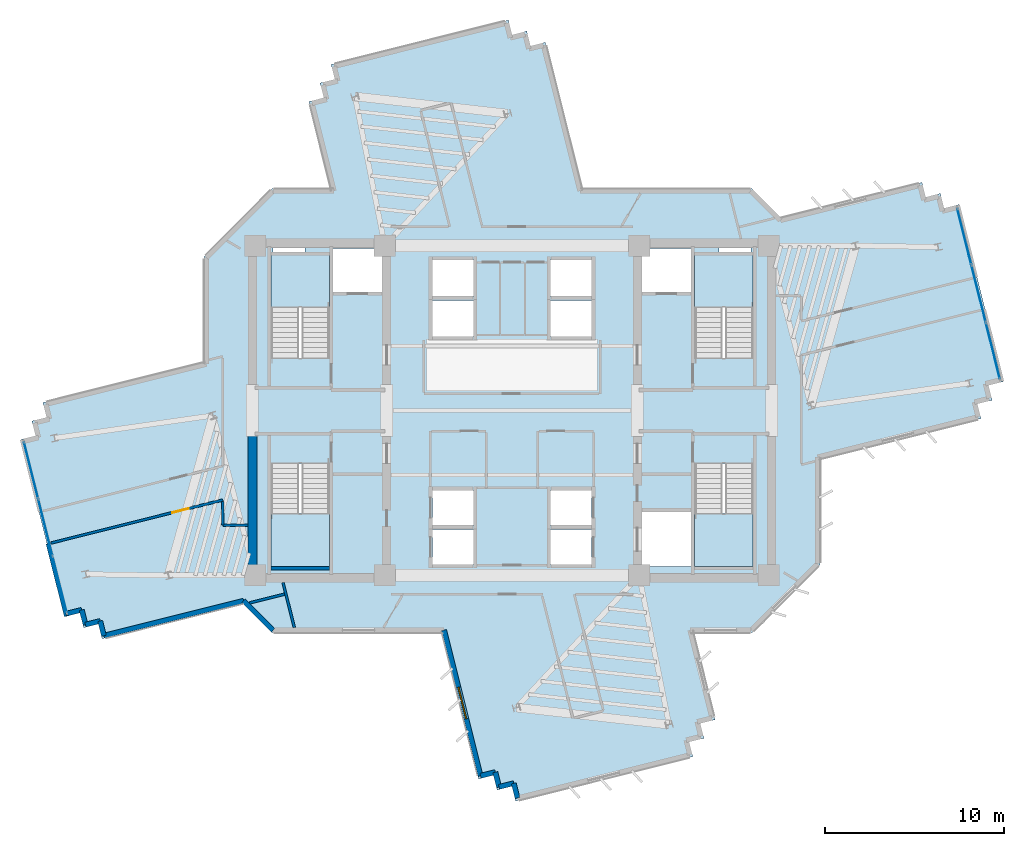
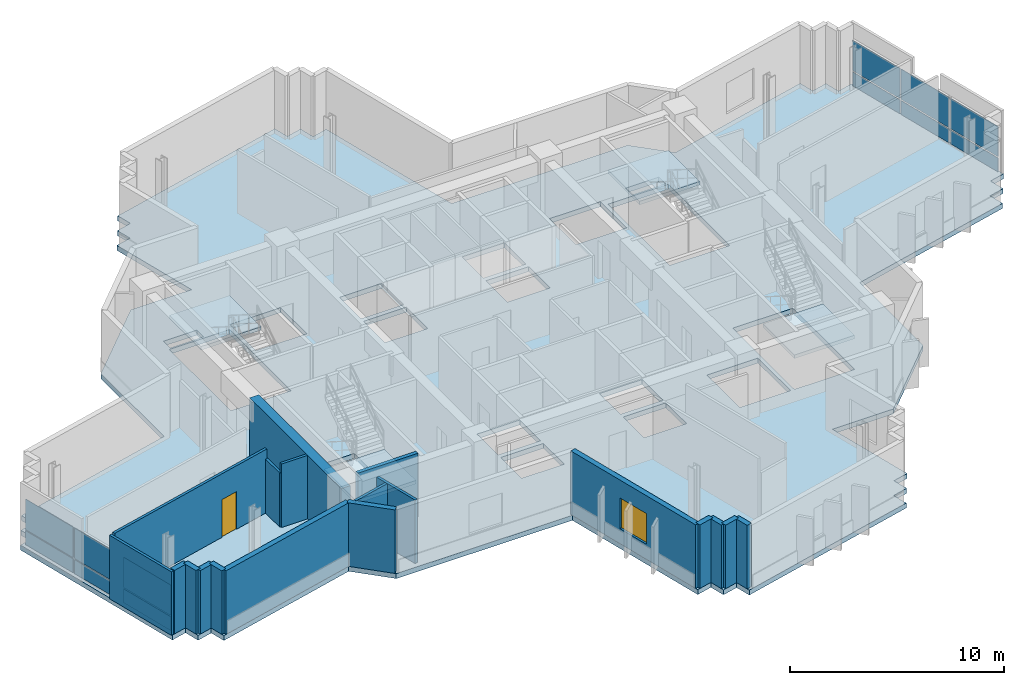
# One storey, part 5 of 13: 19 walls, 12 plates, 5 slabs, 1 door, 1 window, 2 openings, 6 elements without a shape of their own.
"""IFC4 building model written with IfcOpenShell, lengths in metres."""

from ifc_helpers import new_model, si_unit, direction, frame, frame_2d, origin, origin_2d, place, context, subcontext, project, spatial, polyline, rectangle, outline, extrude, source, transform, mapped, material, layer, layer_set, type_object, element, fill, aggregate, save


model = new_model("IFC4")

# Units and contexts
model_context = context("Model", 3, precision=1e-05, world=origin(), true_north=direction((0.0, 1.0)))
body_context = subcontext(model_context, "Body", "Model", "MODEL_VIEW")
ifc_project = project(units=[si_unit("LENGTHUNIT", "METRE"), si_unit("AREAUNIT", "SQUARE_METRE"), si_unit("VOLUMEUNIT", "CUBIC_METRE"), si_unit("PLANEANGLEUNIT", "RADIAN"), si_unit("MASSUNIT", "GRAM", prefix="KILO")], contexts=[model_context])

# Site, building, storey
site_placement = place(None, origin())
site = spatial("IfcSite", under=ifc_project, at=site_placement, CompositionType="ELEMENT")
building_placement = place(site_placement, origin())
building = spatial("IfcBuilding", under=site, at=building_placement, Name="Zahravan Cultural Tower", CompositionType="ELEMENT")
storey_placement = place(building_placement, frame((0.0, 0.0, 186.300048828125)))
storey = spatial("IfcBuildingStorey", under=building, at=storey_placement, Name="L43", CompositionType="ELEMENT", Elevation=186.300048828125)

# Slab
ifc_material_1 = material(Name="Concrete C45/55", Category="concrete")
ifc_layer_1 = layer(ifc_material_1, 0.280029296875)
ifc_layer_set_1 = layer_set([ifc_layer_1], Name="Concrete C45/55")
slab_type_1 = type_object("IfcSlabType", Name="SL-LIB-280", PredefinedType="FLOOR", material=ifc_layer_set_1)
slab_1_placement = place(storey_placement, frame((0.0, 0.0, -0.280029296875)))
element("IfcSlab", 1, at=slab_1_placement, inside=storey, type_object=slab_type_1, Name="L43 Structural Floor Slab", PredefinedType="FLOOR", context=body_context, shape_type="SweptSolid", body=[
    extrude(outline(polyline([(51.026611328125, 37.773193359375), (49.39990234375, 39.39990234375), (39.904541015625, 39.39990234375), (37.85888671875, 47.56787109375), (37.034423828125, 47.361328125), (36.827880859375, 48.185791015625), (36.00341796875, 47.979248046875), (35.796875, 48.803955078125), (25.902587890625, 46.325927734375), (26.10888671875, 45.50146484375), (25.284423828125, 45.294921875), (25.490966796875, 44.47021484375), (24.66650390625, 44.263916015625), (25.884521484375, 39.39990234375), (22.60009765625, 39.39990234375), (18.800048828125, 35.60009765625), (18.800048828125, 29.702392578125), (9.805908203125, 27.449951171875), (10.012451171875, 26.62548828125), (9.18798828125, 26.4189453125), (9.394287109375, 25.594482421875), (8.56982421875, 25.387939453125), (11.0478515625, 15.493408203125), (11.872314453125, 15.699951171875), (12.078857421875, 14.87548828125), (12.9033203125, 15.081787109375), (13.10986328125, 14.25732421875), (20.973388671875, 16.226806640625), (22.60009765625, 14.60009765625), (32.095458984375, 14.60009765625), (34.14111328125, 6.43212890625), (34.965576171875, 6.638671875), (35.172119140625, 5.814208984375), (35.99658203125, 6.020751953125), (36.203125, 5.196044921875), (46.097412109375, 7.674072265625), (45.89111328125, 8.49853515625), (46.715576171875, 8.705078125), (46.509033203125, 9.52978515625), (47.33349609375, 9.736083984375), (46.115478515625, 14.60009765625), (49.39990234375, 14.60009765625), (53.199951171875, 18.39990234375), (53.199951171875, 24.297607421875), (62.194091796875, 26.550048828125), (61.987548828125, 27.37451171875), (62.81201171875, 27.5810546875), (62.605712890625, 28.405517578125), (63.43017578125, 28.612060546875), (60.9521484375, 38.506591796875), (60.127685546875, 38.300048828125), (59.921142578125, 39.12451171875), (59.0966796875, 38.918212890625), (58.89013671875, 39.74267578125), (51.026611328125, 37.773193359375)]), holes=[polyline([(22.550048828125, 29.949951171875), (22.550048828125, 35.699951171875), (25.800048828125, 35.699951171875), (25.800048828125, 29.949951171875), (22.550048828125, 29.949951171875)]), polyline([(22.550048828125, 18.300048828125), (22.550048828125, 24.050048828125), (25.800048828125, 24.050048828125), (25.800048828125, 18.300048828125), (22.550048828125, 18.300048828125)]), polyline([(46.199951171875, 29.949951171875), (46.199951171875, 35.699951171875), (49.449951171875, 35.699951171875), (49.449951171875, 29.949951171875), (46.199951171875, 29.949951171875)]), polyline([(46.199951171875, 18.300048828125), (46.199951171875, 24.050048828125), (49.449951171875, 24.050048828125), (49.449951171875, 18.300048828125), (46.199951171875, 18.300048828125)]), polyline([(26.0, 33.60009765625), (26.0, 36.050048828125), (28.75, 36.050048828125), (28.75, 33.60009765625), (26.0, 33.60009765625)]), polyline([(43.25, 33.60009765625), (43.25, 36.050048828125), (46.0, 36.050048828125), (46.0, 33.60009765625), (43.25, 33.60009765625)]), polyline([(43.25, 18.300048828125), (43.25, 21.35009765625), (46.0, 21.35009765625), (46.0, 18.300048828125), (43.25, 18.300048828125)]), polyline([(31.550048828125, 33.39990234375), (31.550048828125, 35.39990234375), (33.85009765625, 35.39990234375), (33.85009765625, 33.39990234375), (31.550048828125, 33.39990234375)]), polyline([(31.550048828125, 31.14990234375), (31.550048828125, 33.14990234375), (33.85009765625, 33.14990234375), (33.85009765625, 31.14990234375), (31.550048828125, 31.14990234375)]), polyline([(38.14990234375, 33.39990234375), (38.14990234375, 35.39990234375), (40.449951171875, 35.39990234375), (40.449951171875, 33.39990234375), (38.14990234375, 33.39990234375)]), polyline([(38.14990234375, 31.14990234375), (38.14990234375, 33.14990234375), (40.449951171875, 33.14990234375), (40.449951171875, 31.14990234375), (38.14990234375, 31.14990234375)]), polyline([(31.550048828125, 20.60009765625), (31.550048828125, 22.550048828125), (33.85009765625, 22.550048828125), (33.85009765625, 20.60009765625), (31.550048828125, 20.60009765625)]), polyline([(31.550048828125, 18.39990234375), (31.550048828125, 20.35009765625), (33.85009765625, 20.35009765625), (33.85009765625, 18.39990234375), (31.550048828125, 18.39990234375)]), polyline([(38.14990234375, 20.60009765625), (38.14990234375, 22.550048828125), (40.449951171875, 22.550048828125), (40.449951171875, 20.60009765625), (38.14990234375, 20.60009765625)]), polyline([(38.14990234375, 18.39990234375), (38.14990234375, 20.35009765625), (40.449951171875, 20.35009765625), (40.449951171875, 18.39990234375), (38.14990234375, 18.39990234375)]), polyline([(22.64990234375, 35.800048828125), (22.64990234375, 36.419921875), (24.449951171875, 36.419921875), (24.449951171875, 35.800048828125), (22.64990234375, 35.800048828125)]), polyline([(47.550048828125, 35.800048828125), (47.550048828125, 36.419921875), (49.35009765625, 36.419921875), (49.35009765625, 35.800048828125), (47.550048828125, 35.800048828125)])]), origin(), (0.0, 0.0, 1.0), 0.280029296875),
])

# Stair, slab
stair_type = type_object("IfcStairType", Name="STR-DL-1550-390", PredefinedType="HALF_TURN_STAIR", material=ifc_material_1)
stair_1_placement = place(storey_placement, origin())
stair_1 = element("IfcStair", 2, at=stair_1_placement, inside=storey, type_object=stair_type, Name="L43 West Core North Exit Stair ST-W1", PredefinedType="HALF_TURN_STAIR")
ifc_layer_2 = layer(ifc_material_1, 0.199951171875)
ifc_layer_set_2 = layer_set([ifc_layer_2], Name="Concrete C45/55")
slab_type_2 = type_object("IfcSlabType", Name="SL-STAIR-LND200", PredefinedType="LANDING", material=ifc_layer_set_2)
slab_2_placement = place(storey_placement, frame((0.0, 0.0, 1.75)))
slab_2 = element("IfcSlab", 3, at=slab_2_placement, type_object=slab_type_2, Name="ST-W1 landing 1", PredefinedType="LANDING", context=body_context, shape_type="SweptSolid", body=[
    extrude(outline(polyline([(25.800048828125, 32.75), (25.800048828125, 35.699951171875), (22.550048828125, 35.699951171875), (22.550048828125, 32.75), (25.800048828125, 32.75)])), origin(), (0.0, 0.0, 1.0), 0.199951171875),
])
aggregate(stair_1, [slab_2])

stair_2_placement = place(storey_placement, origin())
stair_2 = element("IfcStair", 4, at=stair_2_placement, inside=storey, type_object=stair_type, Name="L43 West Core South Exit Stair ST-W2", PredefinedType="HALF_TURN_STAIR")
slab_3_placement = place(storey_placement, frame((0.0, 0.0, 1.75)))
slab_3 = element("IfcSlab", 5, at=slab_3_placement, type_object=slab_type_2, Name="ST-W2 landing 1", PredefinedType="LANDING", context=body_context, shape_type="SweptSolid", body=[
    extrude(outline(polyline([(22.550048828125, 21.25), (22.550048828125, 18.300048828125), (25.800048828125, 18.300048828125), (25.800048828125, 21.25), (22.550048828125, 21.25)])), origin(), (0.0, 0.0, 1.0), 0.199951171875),
])
aggregate(stair_2, [slab_3])

stair_3_placement = place(storey_placement, origin())
stair_3 = element("IfcStair", 6, at=stair_3_placement, inside=storey, type_object=stair_type, Name="L43 East Core North Exit Stair ST-E1", PredefinedType="HALF_TURN_STAIR")
slab_4_placement = place(storey_placement, frame((0.0, 0.0, 1.75)))
slab_4 = element("IfcSlab", 7, at=slab_4_placement, type_object=slab_type_2, Name="ST-E1 landing 1", PredefinedType="LANDING", context=body_context, shape_type="SweptSolid", body=[
    extrude(outline(polyline([(49.449951171875, 32.75), (49.449951171875, 35.699951171875), (46.199951171875, 35.699951171875), (46.199951171875, 32.75), (49.449951171875, 32.75)])), origin(), (0.0, 0.0, 1.0), 0.199951171875),
])
aggregate(stair_3, [slab_4])

stair_4_placement = place(storey_placement, origin())
stair_4 = element("IfcStair", 8, at=stair_4_placement, inside=storey, type_object=stair_type, Name="L43 East Core South Exit Stair ST-E2", PredefinedType="HALF_TURN_STAIR")
slab_5_placement = place(storey_placement, frame((0.0, 0.0, 1.75)))
slab_5 = element("IfcSlab", 9, at=slab_5_placement, type_object=slab_type_2, Name="ST-E2 landing 1", PredefinedType="LANDING", context=body_context, shape_type="SweptSolid", body=[
    extrude(outline(polyline([(46.199951171875, 21.25), (46.199951171875, 18.300048828125), (49.449951171875, 18.300048828125), (49.449951171875, 21.25), (46.199951171875, 21.25)])), origin(), (0.0, 0.0, 1.0), 0.199951171875),
])
aggregate(stair_4, [slab_5])

# Curtain wall, plates
ifc_material_2 = material(Name="Anodised bronze-aluminium mullion", Category="aluminium")
ifc_layer_3 = layer(ifc_material_2, 0.199951171875)
ifc_layer_set_3 = layer_set([ifc_layer_3], Name="Anodised bronze-aluminium mullion")
curtain_wall_type_1 = type_object("IfcCurtainWallType", Name="CW-SYS-2", PredefinedType="USERDEFINED", material=ifc_layer_set_3)
curtain_wall_1_placement = place(storey_placement, origin())
curtain_wall_1 = element("IfcCurtainWall", 10, at=curtain_wall_1_placement, inside=storey, type_object=curtain_wall_type_1, Name="L43 Recessed Curtain Wall CW-2.1", ObjectType="RECESSED GLAZING", PredefinedType="USERDEFINED")
ifc_material_3 = material(Name="Low-E solar-control double glazing", Category="glass")
ifc_layer_4 = layer(ifc_material_3, 0.030029296875)
ifc_layer_set_4 = layer_set([ifc_layer_4], Name="Low-E solar-control double glazing")
plate_type_1 = type_object("IfcPlateType", Name="CWP-CW-2", PredefinedType="CURTAIN_PANEL", material=ifc_layer_set_4)
shared_shape_1 = source(origin(), body_context, "Body", "SweptSolid", [
    extrude(rectangle(XDim=3.194091796875, YDim=0.030029296875, at=origin_2d()), origin(), (0.0, 0.0, 1.0), 0.78759765625),
])
plate_1_placement = place(storey_placement, frame((61.256591796875, 36.714599609375, 0.074951171875), z_axis=(0.0, 0.0, 1.0), x_axis=(0.242943573269, -0.970040421945, 0.0)))
plate_1 = element("IfcPlate", 11, at=plate_1_placement, type_object=plate_type_1, Name="CW-2 panel 1.1", PredefinedType="CURTAIN_PANEL", context=body_context, shape_type="MappedRepresentation", body=[
    mapped(shared_shape_1, transform((0.0, 0.0, 0.0), x_axis=(1.0, 0.0, 0.0), y_axis=(0.0, 1.0, 0.0), z_axis=(0.0, 0.0, 1.0), scale=1.0)),
])
plate_2_placement = place(storey_placement, frame((62.85400390625, 30.3359375, 0.074951171875), z_axis=(0.0, 0.0, 1.0), x_axis=(0.242943573269, -0.970040421945, 0.0)))
plate_2 = element("IfcPlate", 12, at=plate_2_placement, type_object=plate_type_1, Name="CW-2 panel 3.1", PredefinedType="CURTAIN_PANEL", context=body_context, shape_type="MappedRepresentation", body=[
    mapped(shared_shape_1, transform((0.0, 0.0, 0.0), x_axis=(1.0, 0.0, 0.0), y_axis=(0.0, 1.0, 0.0), z_axis=(0.0, 0.0, 1.0), scale=1.0)),
])
shared_shape_2 = source(origin(), body_context, "Body", "SweptSolid", [
    extrude(rectangle(XDim=3.231689453125, YDim=0.030029296875, at=origin_2d()), origin(), (0.0, 0.0, 1.0), 0.78759765625),
])
plate_3_placement = place(storey_placement, frame((62.055419921875, 33.525390625, 0.074951171875), z_axis=(0.0, 0.0, 1.0), x_axis=(0.242943573269, -0.970040421945, 0.0)))
plate_3 = element("IfcPlate", 13, at=plate_3_placement, type_object=plate_type_1, Name="CW-2 panel 2.1", PredefinedType="CURTAIN_PANEL", context=body_context, shape_type="MappedRepresentation", body=[
    mapped(shared_shape_2, transform((0.0, 0.0, 0.0), x_axis=(1.0, 0.0, 0.0), y_axis=(0.0, 1.0, 0.0), z_axis=(0.0, 0.0, 1.0), scale=1.0)),
])
shared_shape_3 = source(origin(), body_context, "Body", "SweptSolid", [
    extrude(rectangle(XDim=3.194091796875, YDim=0.030029296875, at=origin_2d()), origin(), (0.0, 0.0, 1.0), 1.7275390625),
])
plate_4_placement = place(storey_placement, frame((61.256591796875, 36.714599609375, 0.9375), z_axis=(0.0, 0.0, 1.0), x_axis=(0.242943573269, -0.970040421945, 0.0)))
plate_4 = element("IfcPlate", 14, at=plate_4_placement, type_object=plate_type_1, Name="CW-2 panel 1.2", PredefinedType="CURTAIN_PANEL", context=body_context, shape_type="MappedRepresentation", body=[
    mapped(shared_shape_3, transform((0.0, 0.0, 0.0), x_axis=(1.0, 0.0, 0.0), y_axis=(0.0, 1.0, 0.0), z_axis=(0.0, 0.0, 1.0), scale=1.0)),
])
plate_5_placement = place(storey_placement, frame((62.85400390625, 30.3359375, 0.9375), z_axis=(0.0, 0.0, 1.0), x_axis=(0.242943573269, -0.970040421945, 0.0)))
plate_5 = element("IfcPlate", 15, at=plate_5_placement, type_object=plate_type_1, Name="CW-2 panel 3.2", PredefinedType="CURTAIN_PANEL", context=body_context, shape_type="MappedRepresentation", body=[
    mapped(shared_shape_3, transform((0.0, 0.0, 0.0), x_axis=(1.0, 0.0, 0.0), y_axis=(0.0, 1.0, 0.0), z_axis=(0.0, 0.0, 1.0), scale=1.0)),
])
shared_shape_4 = source(origin(), body_context, "Body", "SweptSolid", [
    extrude(rectangle(XDim=3.231689453125, YDim=0.030029296875, at=origin_2d()), origin(), (0.0, 0.0, 1.0), 1.7275390625),
])
plate_6_placement = place(storey_placement, frame((62.055419921875, 33.525390625, 0.9375), z_axis=(0.0, 0.0, 1.0), x_axis=(0.242943573269, -0.970040421945, 0.0)))
plate_6 = element("IfcPlate", 16, at=plate_6_placement, type_object=plate_type_1, Name="CW-2 panel 2.2", PredefinedType="CURTAIN_PANEL", context=body_context, shape_type="MappedRepresentation", body=[
    mapped(shared_shape_4, transform((0.0, 0.0, 0.0), x_axis=(1.0, 0.0, 0.0), y_axis=(0.0, 1.0, 0.0), z_axis=(0.0, 0.0, 1.0), scale=1.0)),
])
aggregate(curtain_wall_1, [plate_1, plate_4, plate_3, plate_6, plate_2, plate_5])

ifc_layer_5 = layer(ifc_material_2, 0.179931640625)
ifc_layer_set_5 = layer_set([ifc_layer_5], Name="Anodised bronze-aluminium mullion")
curtain_wall_type_2 = type_object("IfcCurtainWallType", Name="CW-SYS-3", PredefinedType="USERDEFINED", material=ifc_layer_set_5)
curtain_wall_2_placement = place(storey_placement, origin())
curtain_wall_2 = element("IfcCurtainWall", 17, at=curtain_wall_2_placement, inside=storey, type_object=curtain_wall_type_2, Name="L43 Recessed Curtain Wall CW-3.2", ObjectType="RECESSED GLAZING", PredefinedType="USERDEFINED")
ifc_layer_6 = layer(ifc_material_3, 0.028076171875)
ifc_layer_set_6 = layer_set([ifc_layer_6], Name="Low-E solar-control double glazing")
plate_type_2 = type_object("IfcPlateType", Name="CWP-CW-3", PredefinedType="CURTAIN_PANEL", material=ifc_layer_set_6)
shared_shape_5 = source(origin(), body_context, "Body", "SweptSolid", [
    extrude(rectangle(XDim=3.20166015625, YDim=0.028076171875, at=origin_2d()), origin(), (0.0, 0.0, 1.0), 0.794921875),
])
plate_7_placement = place(storey_placement, frame((10.743896484375, 17.2841796875, 0.070068359375), z_axis=(0.0, 0.0, 1.0), x_axis=(-0.242943573269, 0.970040421945, 0.0)))
plate_7 = element("IfcPlate", 18, at=plate_7_placement, type_object=plate_type_2, Name="CW-3 panel 1.1", PredefinedType="CURTAIN_PANEL", context=body_context, shape_type="MappedRepresentation", body=[
    mapped(shared_shape_5, transform((0.0, 0.0, 0.0), x_axis=(1.0, 0.0, 0.0), y_axis=(0.0, 1.0, 0.0), z_axis=(0.0, 0.0, 1.0), scale=1.0)),
])
plate_8_placement = place(storey_placement, frame((9.1455078125, 23.665283203125, 0.070068359375), z_axis=(0.0, 0.0, 1.0), x_axis=(-0.242943573269, 0.970040421945, 0.0)))
plate_8 = element("IfcPlate", 19, at=plate_8_placement, type_object=plate_type_2, Name="CW-3 panel 3.1", PredefinedType="CURTAIN_PANEL", context=body_context, shape_type="MappedRepresentation", body=[
    mapped(shared_shape_5, transform((0.0, 0.0, 0.0), x_axis=(1.0, 0.0, 0.0), y_axis=(0.0, 1.0, 0.0), z_axis=(0.0, 0.0, 1.0), scale=1.0)),
])
shared_shape_6 = source(origin(), body_context, "Body", "SweptSolid", [
    extrude(rectangle(XDim=3.20166015625, YDim=0.028076171875, at=origin_2d()), origin(), (0.0, 0.0, 1.0), 1.735107421875),
])
plate_9_placement = place(storey_placement, frame((10.743896484375, 17.2841796875, 0.93505859375), z_axis=(0.0, 0.0, 1.0), x_axis=(-0.242943573269, 0.970040421945, 0.0)))
plate_9 = element("IfcPlate", 20, at=plate_9_placement, type_object=plate_type_2, Name="CW-3 panel 1.2", PredefinedType="CURTAIN_PANEL", context=body_context, shape_type="MappedRepresentation", body=[
    mapped(shared_shape_6, transform((0.0, 0.0, 0.0), x_axis=(1.0, 0.0, 0.0), y_axis=(0.0, 1.0, 0.0), z_axis=(0.0, 0.0, 1.0), scale=1.0)),
])
plate_10_placement = place(storey_placement, frame((9.1455078125, 23.665283203125, 0.93505859375), z_axis=(0.0, 0.0, 1.0), x_axis=(-0.242943573269, 0.970040421945, 0.0)))
plate_10 = element("IfcPlate", 21, at=plate_10_placement, type_object=plate_type_2, Name="CW-3 panel 3.2", PredefinedType="CURTAIN_PANEL", context=body_context, shape_type="MappedRepresentation", body=[
    mapped(shared_shape_6, transform((0.0, 0.0, 0.0), x_axis=(1.0, 0.0, 0.0), y_axis=(0.0, 1.0, 0.0), z_axis=(0.0, 0.0, 1.0), scale=1.0)),
])
shared_shape_7 = source(origin(), body_context, "Body", "SweptSolid", [
    extrude(rectangle(XDim=3.236572265625, YDim=0.028076171875, at=origin_2d()), origin(), (0.0, 0.0, 1.0), 0.794921875),
])
plate_11_placement = place(storey_placement, frame((9.944580078125, 20.474609375, 0.070068359375), z_axis=(0.0, 0.0, 1.0), x_axis=(-0.242943573269, 0.970040421945, 0.0)))
plate_11 = element("IfcPlate", 22, at=plate_11_placement, type_object=plate_type_2, Name="CW-3 panel 2.1", PredefinedType="CURTAIN_PANEL", context=body_context, shape_type="MappedRepresentation", body=[
    mapped(shared_shape_7, transform((0.0, 0.0, 0.0), x_axis=(1.0, 0.0, 0.0), y_axis=(0.0, 1.0, 0.0), z_axis=(0.0, 0.0, 1.0), scale=1.0)),
])
shared_shape_8 = source(origin(), body_context, "Body", "SweptSolid", [
    extrude(rectangle(XDim=3.236572265625, YDim=0.028076171875, at=origin_2d()), origin(), (0.0, 0.0, 1.0), 1.735107421875),
])
plate_12_placement = place(storey_placement, frame((9.944580078125, 20.474609375, 0.93505859375), z_axis=(0.0, 0.0, 1.0), x_axis=(-0.242943573269, 0.970040421945, 0.0)))
plate_12 = element("IfcPlate", 23, at=plate_12_placement, type_object=plate_type_2, Name="CW-3 panel 2.2", PredefinedType="CURTAIN_PANEL", context=body_context, shape_type="MappedRepresentation", body=[
    mapped(shared_shape_8, transform((0.0, 0.0, 0.0), x_axis=(1.0, 0.0, 0.0), y_axis=(0.0, 1.0, 0.0), z_axis=(0.0, 0.0, 1.0), scale=1.0)),
])
aggregate(curtain_wall_2, [plate_7, plate_9, plate_11, plate_12, plate_8, plate_10])

# Wall, opening, window
ifc_material_4 = material(Name="Precast concrete C40/50", Category="concrete")
ifc_layer_7 = layer(ifc_material_4, 0.280029296875)
ifc_layer_set_7 = layer_set([ifc_layer_7], Name="Precast concrete C40/50")
wall_type_1 = type_object("IfcWallType", Name="EW-TC-280", PredefinedType="SOLIDWALL", material=ifc_layer_set_7)
wall_1_placement = place(storey_placement, frame((34.242919921875, 6.60205078125, 0.0), z_axis=(0.0, 0.0, 1.0), x_axis=(-0.242939601766, 0.970041416587, 0.0)))
wall_1 = element("IfcWall", 24, at=wall_1_placement, inside=storey, type_object=wall_type_1, Name="L43 Exterior Masonry Frame Wall 24", PredefinedType="SOLIDWALL", context=body_context, shape_type="SweptSolid", body=[
    extrude(rectangle(XDim=8.38916015625, YDim=0.280029296875, at=frame_2d((4.194580078125, 0.0))), origin(), (0.0, 0.0, 1.0), 3.619873046875),
])
opening_1_placement = place(wall_1_placement, frame((3.294921875, 0.0, 0.85009765625)))
opening_1 = element("IfcOpeningElement", 25, at=opening_1_placement, cuts=wall_1, Name="Opening WN-02", PredefinedType="OPENING", context=body_context, shape_type="SweptSolid", body=[
    extrude(rectangle(XDim=1.800048828125, YDim=1.75, at=frame_2d((0.89990234375, 0.875))), frame((0.0, 0.14990234375, 0.0), z_axis=(0.0, -1.0, 0.0), x_axis=(1.0, 0.0, 0.0)), (0.0, 0.0, 1.0), 0.300048828125),
])
window_type = type_object("IfcWindowType", Name="WN-REC-1800X1750", PartitioningType="DOUBLE_PANEL_VERTICAL", PredefinedType="WINDOW", material=ifc_material_3)
shared_shape_9 = source(origin(), body_context, "Body", "SweptSolid", [
    extrude(rectangle(XDim=1.800048828125, YDim=1.75, at=frame_2d((0.89990234375, 0.875))), frame((0.0, 0.030029296875, 0.0), z_axis=(0.0, -1.0, 0.0), x_axis=(1.0, 0.0, 0.0)), (0.0, 0.0, 1.0), 0.06005859375),
])
window_placement = place(opening_1_placement, origin())
window = element("IfcWindow", 26, at=window_placement, inside=storey, type_object=window_type, Name="L43 Recessed Solar Window 07", OverallHeight=1.75, OverallWidth=1.800048828125, PartitioningType="DOUBLE_PANEL_VERTICAL", PredefinedType="WINDOW", context=body_context, shape_type="MappedRepresentation", body=[
    mapped(shared_shape_9, transform((0.0, 0.0, 0.0), x_axis=(1.0, 0.0, 0.0), y_axis=(0.0, 1.0, 0.0), z_axis=(0.0, 0.0, 1.0), scale=1.0)),
])
fill(opening_1, window)

# Wall, opening, door
ifc_material_5 = material(Name="Gypsum plasterboard partition")
ifc_layer_8 = layer(ifc_material_5, 0.139892578125)
ifc_layer_set_8 = layer_set([ifc_layer_8], Name="Gypsum plasterboard partition")
wall_type_2 = type_object("IfcWallType", Name="W-PART-140", PredefinedType="PARTITIONING", material=ifc_layer_set_8)
wall_2_placement = place(storey_placement, frame((10.260498046875, 19.60546875, 0.0), z_axis=(0.0, 0.0, 1.0), x_axis=(0.970042179759, 0.242936554451, 0.0)))
wall_2 = element("IfcWall", 27, at=wall_2_placement, inside=storey, type_object=wall_type_2, Name="L43 Interior Wall 087", PredefinedType="PARTITIONING", context=body_context, shape_type="SweptSolid", body=[
    extrude(rectangle(XDim=9.8857421875, YDim=0.139892578125, at=frame_2d((4.94287109375, 0.0))), origin(), (0.0, 0.0, 1.0), 3.619873046875),
])
opening_2_placement = place(wall_2_placement, frame((6.969970703125, 0.0, 0.0)))
opening_2 = element("IfcOpeningElement", 28, at=opening_2_placement, cuts=wall_2, Name="Opening D-L43-22", PredefinedType="OPENING", context=body_context, shape_type="SweptSolid", body=[
    extrude(rectangle(XDim=0.949951171875, YDim=2.14990234375, at=frame_2d((0.47509765625, 1.074951171875))), frame((0.0, 0.079833984375, 0.0), z_axis=(0.0, -1.0, 0.0), x_axis=(1.0, 0.0, 0.0)), (0.0, 0.0, 1.0), 0.159912109375),
])
door_type = type_object("IfcDoorType", Name="DR-ROOM-950", OperationType="NOTDEFINED", PredefinedType="DOOR", material=ifc_material_2)
shared_shape_10 = source(origin(), body_context, "Body", "SweptSolid", [
    extrude(rectangle(XDim=0.949951171875, YDim=2.14990234375, at=frame_2d((0.47509765625, 1.074951171875))), frame((0.0, 0.02490234375, 0.0), z_axis=(0.0, -1.0, 0.0), x_axis=(1.0, 0.0, 0.0)), (0.0, 0.0, 1.0), 0.050048828125),
])
door_placement = place(opening_2_placement, origin())
door = element("IfcDoor", 29, at=door_placement, inside=storey, type_object=door_type, Name="L43 Door D-L43-22", OperationType="SINGLE_SWING_RIGHT", OverallHeight=2.14990234375, OverallWidth=0.949951171875, PredefinedType="DOOR", context=body_context, shape_type="MappedRepresentation", body=[
    mapped(shared_shape_10, transform((0.0, 0.0, 0.0), x_axis=(1.0, 0.0, 0.0), y_axis=(0.0, 1.0, 0.0), z_axis=(0.0, 0.0, 1.0), scale=1.0)),
])
fill(opening_2, door)

# Walls
ifc_material_6 = material(Name="Concrete C60/75", Category="concrete")
ifc_layer_9 = layer(ifc_material_6, 0.5)
ifc_layer_set_9 = layer_set([ifc_layer_9], Name="Concrete C60/75")
wall_type_3 = type_object("IfcWallType", Name="CW-SHEAR-500-C60", PredefinedType="SHEAR", material=ifc_layer_set_9)
shared_shape_11 = source(origin(), body_context, "Body", "SweptSolid", [
    extrude(rectangle(XDim=8.550048828125, YDim=0.5, at=frame_2d((4.27490234375, 0.0))), origin(), (0.0, 0.0, 1.0), 3.619873046875),
])
wall_3_placement = place(storey_placement, frame((21.5, 17.39990234375, 0.0), z_axis=(0.0, 0.0, 1.0), x_axis=(0.0, 1.0, 0.0)))
element("IfcWall", 30, at=wall_3_placement, inside=storey, type_object=wall_type_3, Name="L43 Core Shear Wall CW-W-WS-L43", PredefinedType="SHEAR", context=body_context, shape_type="MappedRepresentation", body=[
    mapped(shared_shape_11, transform((0.0, 0.0, 0.0), x_axis=(1.0, 0.0, 0.0), y_axis=(0.0, 1.0, 0.0), z_axis=(0.0, 0.0, 1.0), scale=1.0)),
])
shared_shape_12 = source(origin(), body_context, "Body", "SweptSolid", [
    extrude(rectangle(XDim=0.85009765625, YDim=0.280029296875, at=frame_2d((0.425048828125, 0.0))), origin(), (0.0, 0.0, 1.0), 3.619873046875),
])
for number, where, z_axis, x_axis, name in (
    (31, (36.098388671875, 6.1904296875, 0.0), (0.0, 0.0, 1.0), (-0.970041063326, -0.242941012307, 0.0), "L43 Exterior Masonry Frame Wall 21"),
    (32, (35.273681640625, 5.98388671875, 0.0), (0.0, 0.0, 1.0), (-0.242670768255, 0.970108704339, 0.0), "L43 Exterior Masonry Frame Wall 22"),
    (33, (12.1806640625, 15.045166015625, 0.0), (0.0, 0.0, 1.0), (-0.242941012307, 0.970041063326, 0.0), "L43 Exterior Masonry Frame Wall 30"),
):
    element("IfcWall", number, at=place(storey_placement, frame(where, z_axis=z_axis, x_axis=x_axis)), inside=storey, type_object=wall_type_1, Name=name, PredefinedType="SOLIDWALL", context=body_context, shape_type="MappedRepresentation", body=[
        mapped(shared_shape_12, transform((0.0, 0.0, 0.0), x_axis=(1.0, 0.0, 0.0), y_axis=(0.0, 1.0, 0.0), z_axis=(0.0, 0.0, 1.0), scale=1.0)),
    ])
shared_shape_13 = source(origin(), body_context, "Body", "SweptSolid", [
    extrude(rectangle(XDim=0.849853515625, YDim=0.280029296875, at=frame_2d((0.4248046875, 0.0))), origin(), (0.0, 0.0, 1.0), 3.619873046875),
])
for number, where, z_axis, x_axis, name in (
    (34, (36.304931640625, 5.365966796875, 0.0), (0.0, 0.0, 1.0), (-0.243008704507, 0.970024107708, 0.0), "L43 Exterior Masonry Frame Wall 20"),
    (35, (35.0673828125, 6.80859375, 0.0), (0.0, 0.0, 1.0), (-0.970024107708, -0.243008704507, 0.0), "L43 Exterior Masonry Frame Wall 23"),
    (36, (13.211669921875, 14.42724609375, 0.0), (0.0, 0.0, 1.0), (-0.243008704507, 0.970024107708, 0.0), "L43 Exterior Masonry Frame Wall 28"),
    (37, (13.005126953125, 15.251708984375, 0.0), (0.0, 0.0, 1.0), (-0.970024107708, -0.243008704507, 0.0), "L43 Exterior Masonry Frame Wall 29"),
    (38, (11.97412109375, 15.869873046875, 0.0), (0.0, 0.0, 1.0), (-0.970024107708, -0.243008704507, 0.0), "L43 Exterior Masonry Frame Wall 31"),
):
    element("IfcWall", number, at=place(storey_placement, frame(where, z_axis=z_axis, x_axis=x_axis)), inside=storey, type_object=wall_type_1, Name=name, PredefinedType="SOLIDWALL", context=body_context, shape_type="MappedRepresentation", body=[
        mapped(shared_shape_13, transform((0.0, 0.0, 0.0), x_axis=(1.0, 0.0, 0.0), y_axis=(0.0, 1.0, 0.0), z_axis=(0.0, 0.0, 1.0), scale=1.0)),
    ])
shared_shape_14 = source(origin(), body_context, "Body", "SweptSolid", [
    extrude(rectangle(XDim=2.322021484375, YDim=0.280029296875, at=frame_2d((1.1611328125, 0.0))), origin(), (0.0, 0.0, 1.0), 3.619873046875),
])
wall_4_placement = place(storey_placement, frame((22.657958984375, 14.739990234375, 0.0), z_axis=(0.0, 0.0, 1.0), x_axis=(-0.707106781187, 0.707106781187, 0.0)))
element("IfcWall", 39, at=wall_4_placement, inside=storey, type_object=wall_type_1, Name="L43 Exterior Masonry Frame Wall 26", PredefinedType="SOLIDWALL", context=body_context, shape_type="MappedRepresentation", body=[
    mapped(shared_shape_14, transform((0.0, 0.0, 0.0), x_axis=(1.0, 0.0, 0.0), y_axis=(0.0, 1.0, 0.0), z_axis=(0.0, 0.0, 1.0), scale=1.0)),
])
shared_shape_15 = source(origin(), body_context, "Body", "SweptSolid", [
    extrude(rectangle(XDim=8.04541015625, YDim=0.280029296875, at=frame_2d((4.022705078125, 0.0))), origin(), (0.0, 0.0, 1.0), 3.619873046875),
])
wall_5_placement = place(storey_placement, frame((21.01611328125, 16.3818359375, 0.0), z_axis=(0.0, 0.0, 1.0), x_axis=(-0.970040669564, -0.242942584557, 0.0)))
element("IfcWall", 40, at=wall_5_placement, inside=storey, type_object=wall_type_1, Name="L43 Exterior Masonry Frame Wall 27", PredefinedType="SOLIDWALL", context=body_context, shape_type="MappedRepresentation", body=[
    mapped(shared_shape_15, transform((0.0, 0.0, 0.0), x_axis=(1.0, 0.0, 0.0), y_axis=(0.0, 1.0, 0.0), z_axis=(0.0, 0.0, 1.0), scale=1.0)),
])
ifc_layer_10 = layer(ifc_material_1, 0.199951171875)
ifc_layer_set_10 = layer_set([ifc_layer_10], Name="Concrete C45/55")
wall_type_4 = type_object("IfcWallType", Name="W-SHAFT-200", PredefinedType="SOLIDWALL", material=ifc_layer_set_10)
shared_shape_16 = source(origin(), body_context, "Body", "SweptSolid", [
    extrude(rectangle(XDim=3.25, YDim=0.199951171875, at=frame_2d((1.625, 0.0))), origin(), (0.0, 0.0, 1.0), 3.619873046875),
])
wall_6_placement = place(storey_placement, frame((22.550048828125, 18.199951171875, 0.0), z_axis=(0.0, 0.0, 1.0), x_axis=(1.0, 0.0, 0.0)))
element("IfcWall", 41, at=wall_6_placement, inside=storey, type_object=wall_type_4, Name="L43 Interior Wall 019", PredefinedType="SOLIDWALL", context=body_context, shape_type="MappedRepresentation", body=[
    mapped(shared_shape_16, transform((0.0, 0.0, 0.0), x_axis=(1.0, 0.0, 0.0), y_axis=(0.0, 1.0, 0.0), z_axis=(0.0, 0.0, 1.0), scale=1.0)),
])
shared_shape_17 = source(origin(), body_context, "Body", "SweptSolid", [
    extrude(rectangle(XDim=4.16015625, YDim=0.139892578125, at=frame_2d((2.080078125, 0.0))), origin(), (0.0, 0.0, 1.0), 3.619873046875),
])
wall_7_placement = place(storey_placement, frame((11.0625, 15.517578125, 0.0), z_axis=(0.0, 0.0, 1.0), x_axis=(-0.242963670411, 0.970035388458, 0.0)))
element("IfcWall", 42, at=wall_7_placement, inside=storey, type_object=wall_type_2, Name="L43 Interior Wall 086", PredefinedType="PARTITIONING", context=body_context, shape_type="MappedRepresentation", body=[
    mapped(shared_shape_17, transform((0.0, 0.0, 0.0), x_axis=(1.0, 0.0, 0.0), y_axis=(0.0, 1.0, 0.0), z_axis=(0.0, 0.0, 1.0), scale=1.0)),
])
shared_shape_18 = source(origin(), body_context, "Body", "SweptSolid", [
    extrude(rectangle(XDim=1.39404296875, YDim=0.139892578125, at=frame_2d((0.697021484375, 0.0))), origin(), (0.0, 0.0, 1.0), 3.619873046875),
])
wall_8_placement = place(storey_placement, frame((19.85107421875, 20.60107421875, 0.0), z_axis=(0.0, 0.0, 1.0), x_axis=(0.999999754632, -0.000700525222, 0.0)))
element("IfcWall", 43, at=wall_8_placement, inside=storey, type_object=wall_type_2, Name="L43 Interior Wall 084", PredefinedType="PARTITIONING", context=body_context, shape_type="MappedRepresentation", body=[
    mapped(shared_shape_18, transform((0.0, 0.0, 0.0), x_axis=(1.0, 0.0, 0.0), y_axis=(0.0, 1.0, 0.0), z_axis=(0.0, 0.0, 1.0), scale=1.0)),
])
shared_shape_19 = source(origin(), body_context, "Body", "SweptSolid", [
    extrude(rectangle(XDim=2.587646484375, YDim=0.139892578125, at=frame_2d((1.2939453125, 0.0))), origin(), (0.0, 0.0, 1.0), 3.619873046875),
])
wall_9_placement = place(storey_placement, frame((23.843017578125, 14.885009765625, 0.0), z_axis=(0.0, 0.0, 1.0), x_axis=(-0.242957412811, 0.97003695577, 0.0)))
element("IfcWall", 44, at=wall_9_placement, inside=storey, type_object=wall_type_2, Name="L43 Interior Wall 073", PredefinedType="PARTITIONING", context=body_context, shape_type="MappedRepresentation", body=[
    mapped(shared_shape_19, transform((0.0, 0.0, 0.0), x_axis=(1.0, 0.0, 0.0), y_axis=(0.0, 1.0, 0.0), z_axis=(0.0, 0.0, 1.0), scale=1.0)),
])
shared_shape_20 = source(origin(), body_context, "Body", "SweptSolid", [
    extrude(rectangle(XDim=2.014404296875, YDim=0.139892578125, at=frame_2d((1.00732421875, 0.0))), origin(), (0.0, 0.0, 1.0), 3.619873046875),
])
wall_10_placement = place(storey_placement, frame((23.29931640625, 16.747314453125, 0.0), z_axis=(0.0, 0.0, 1.0), x_axis=(-0.970056889313, -0.242877811867, 0.0)))
element("IfcWall", 45, at=wall_10_placement, inside=storey, type_object=wall_type_2, Name="L43 Interior Wall 085", PredefinedType="PARTITIONING", context=body_context, shape_type="MappedRepresentation", body=[
    mapped(shared_shape_20, transform((0.0, 0.0, 0.0), x_axis=(1.0, 0.0, 0.0), y_axis=(0.0, 1.0, 0.0), z_axis=(0.0, 0.0, 1.0), scale=1.0)),
])
shared_shape_21 = source(origin(), body_context, "Body", "SweptSolid", [
    extrude(rectangle(XDim=1.32861328125, YDim=0.139892578125, at=frame_2d((0.664306640625, 0.0))), origin(), (0.0, 0.0, 1.0), 3.078857421875),
])
wall_11_placement = place(storey_placement, frame((19.85009765625, 21.9296875, 0.0), z_axis=(0.0, 0.0, 1.0), x_axis=(0.00073502369, -0.99999972987, 0.0)))
element("IfcWall", 46, at=wall_11_placement, inside=storey, type_object=wall_type_2, Name="L43 Interior Wall 088", PredefinedType="PARTITIONING", context=body_context, shape_type="MappedRepresentation", body=[
    mapped(shared_shape_21, transform((0.0, 0.0, 0.0), x_axis=(1.0, 0.0, 0.0), y_axis=(0.0, 1.0, 0.0), z_axis=(0.0, 0.0, 1.0), scale=1.0)),
])

save(model, "model.ifc")
